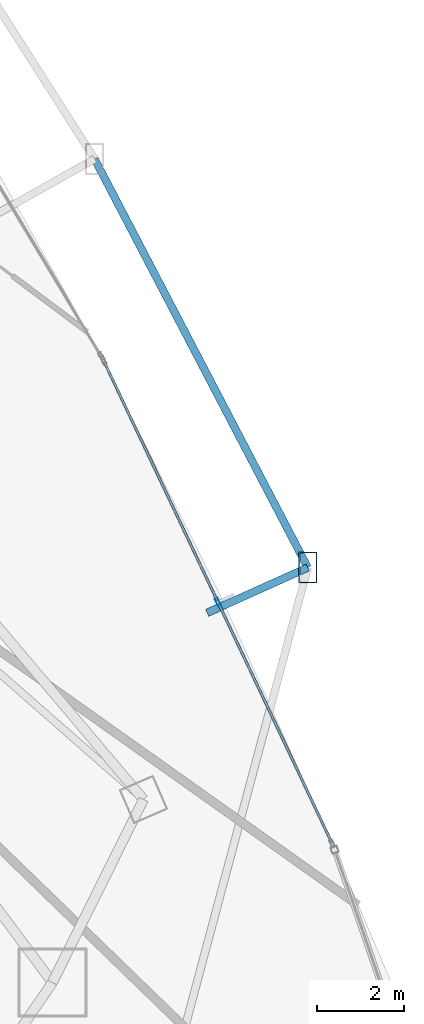
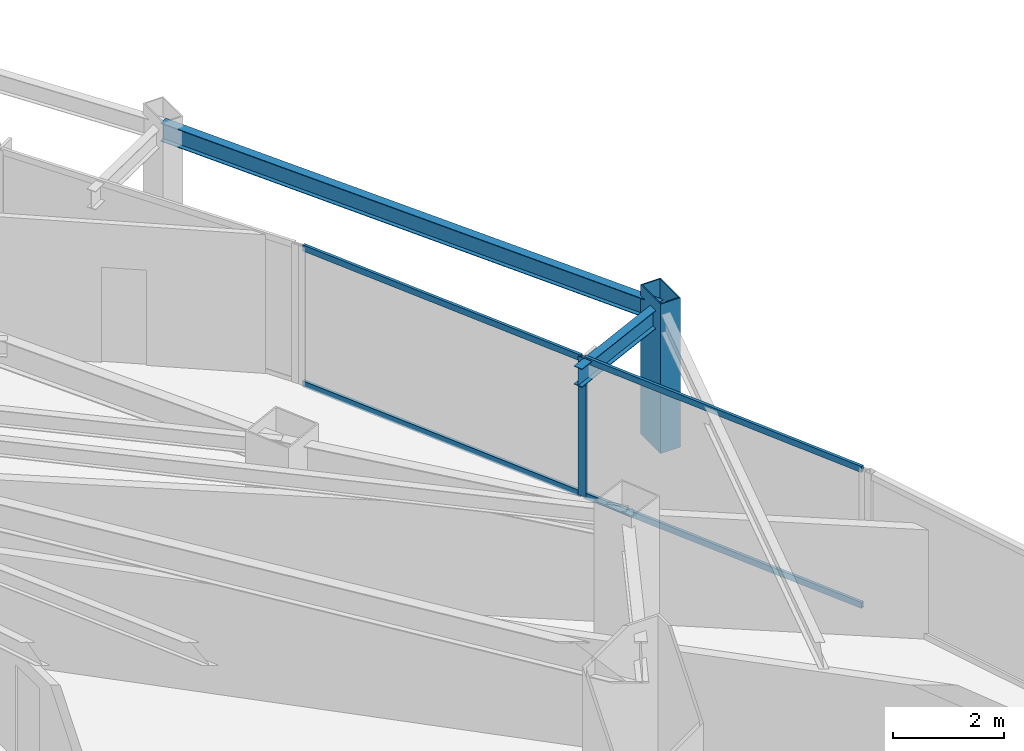
# One storey, part 19 of 34: 6 members, 2 beams, 1 element without a shape of its own.
"""IFC4 building model written with IfcOpenShell, lengths in metres."""

from ifc_helpers import new_model, si_unit, direction, frame, origin, origin_2d, place, context, subcontext, project, spatial, hollow_rectangle, i_section, extrude, material, layer, layer_set, material_profile, profile_set, type_object, element, aggregate, save


model = new_model("IFC4")

# Units and contexts
model_context = context("Model", 3, precision=1e-05, world=origin(), true_north=direction((0.0, 1.0)))
body_context = subcontext(model_context, "Body", "Model", "MODEL_VIEW")
ifc_project = project(units=[si_unit("LENGTHUNIT", "METRE"), si_unit("AREAUNIT", "SQUARE_METRE"), si_unit("VOLUMEUNIT", "CUBIC_METRE"), si_unit("PLANEANGLEUNIT", "RADIAN"), si_unit("MASSUNIT", "GRAM", prefix="KILO")], contexts=[model_context])

# Site, building, storey
site_placement = place(None, origin())
site = spatial("IfcSite", under=ifc_project, at=site_placement, CompositionType="ELEMENT")
building_placement = place(site_placement, origin())
building = spatial("IfcBuilding", under=site, at=building_placement, Name="Orvanel Arch Residences", CompositionType="ELEMENT")
storey_placement = place(building_placement, frame((0.0, 0.0, 64.25)))
storey = spatial("IfcBuildingStorey", under=building, at=storey_placement, Name="L17", CompositionType="ELEMENT", Elevation=64.25)

# Member
ifc_material_1 = material(Name="Structural steel AS/NZS 3678 Grade 350", Category="steel")
ifc_material_profile_1 = material_profile(ifc_material_1, hollow_rectangle(XDim=0.419921875, YDim=0.719970703125, WallThickness=0.02490234375, at=origin_2d()), Name="RHS720x420x25")
ifc_profile_set_1 = profile_set([ifc_material_profile_1], Name="Structural steel AS/NZS 3678 Grade 350")
member_type_1 = type_object("IfcMemberType", Name="CH-720RHS-EXT", PredefinedType="CHORD", material=ifc_profile_set_1)
member_1_placement = place(storey_placement, frame((57.702880859375, 19.93896484375, 0.0), z_axis=(0.0, 0.0, 1.0), x_axis=(1.0, 0.0, 0.0)))
element("IfcMember", 1, at=member_1_placement, inside=storey, type_object=member_type_1, Name="L17 Outer Perimeter Frame Post 09", PredefinedType="CHORD", context=body_context, shape_type="SweptSolid", body=[
    extrude(hollow_rectangle(XDim=0.419921875, YDim=0.719970703125, WallThickness=0.02490234375, at=origin_2d()), origin(), (0.0, 0.0, 1.0), 3.300048828125),
])

# Curtain wall, member
ifc_material_2 = material(Name="Bronze-anodised aluminium AA6063-T6", Category="aluminium")
ifc_layer = layer(ifc_material_2, 0.179931640625)
ifc_layer_set = layer_set([ifc_layer], Name="Bronze-anodised aluminium AA6063-T6")
curtain_wall_type = type_object("IfcCurtainWallType", Name="CW2-LOW-SYS", PredefinedType="NOTDEFINED", material=ifc_layer_set)
curtain_wall_placement = place(storey_placement, origin())
curtain_wall = element("IfcCurtainWall", 2, at=curtain_wall_placement, inside=storey, type_object=curtain_wall_type, Name="L17 CW2-LOW-SYS Unitised Curtain Wall", PredefinedType="NOTDEFINED")
ifc_material_profile_2 = material_profile(ifc_material_2, hollow_rectangle(XDim=0.070068359375, YDim=0.179931640625, WallThickness=0.00439453125, at=origin_2d()), Name="ALU180x70x4.5")
ifc_profile_set_2 = profile_set([ifc_material_profile_2], Name="Bronze-anodised aluminium AA6063-T6")
member_type_2 = type_object("IfcMemberType", Name="MUL-180x70", PredefinedType="MULLION", material=ifc_profile_set_2)
member_2_placement = place(storey_placement, frame((55.6259765625, 19.14306640625, 0.0), z_axis=(0.0, 0.0, 1.0), x_axis=(-0.903875434189, -0.427795745036, 0.0)))
member_2 = element("IfcMember", 3, at=member_2_placement, type_object=member_type_2, Name="CW-S2 mullion 2", PredefinedType="MULLION", context=body_context, shape_type="SweptSolid", body=[
    extrude(hollow_rectangle(XDim=0.070068359375, YDim=0.179931640625, WallThickness=0.00439453125, at=origin_2d()), origin(), (0.0, 0.0, 1.0), 3.06005859375),
])

# Beams
ifc_material_3 = material(Name="Structural steel AS/NZS 3679.1 Grade 300 (300 MPa)", Category="steel")
ifc_material_profile_3 = material_profile(ifc_material_3, i_section(OverallWidth=0.177978515625, OverallDepth=0.406005859375, WebThickness=0.0078125, FlangeThickness=0.0126953125, at=origin_2d()), Name="410UB59.7")
ifc_profile_set_3 = profile_set([ifc_material_profile_3], Name="Structural steel AS/NZS 3679.1 Grade 300 (300 MPa)")
beam_type = type_object("IfcBeamType", Name="OB-410UB-EXT", PredefinedType="SPANDREL", material=ifc_profile_set_3)
beam_1_placement = place(storey_placement, frame((55.3779296875, 18.89306640625, 2.85693359375), z_axis=(0.911969879065, 0.41025716286, 0.0), x_axis=(-0.41025716286, 0.911969879065, 0.0)))
element("IfcBeam", 4, at=beam_1_placement, inside=storey, type_object=beam_type, Name="L17 Outer Frame Radial Tie Beam 09", PredefinedType="SPANDREL", context=body_context, shape_type="SweptSolid", body=[
    extrude(i_section(OverallWidth=0.177978515625, OverallDepth=0.406005859375, WebThickness=0.0078125, FlangeThickness=0.0126953125, at=origin_2d()), origin(), (0.0, 0.0, 1.0), 2.54931640625),
])
beam_2_placement = place(storey_placement, frame((57.702880859375, 19.93896484375, 2.85693359375), z_axis=(-0.462502564623, 0.886617943489, 0.0), x_axis=(-0.886617943489, -0.462502564623, 0.0)))
element("IfcBeam", 5, at=beam_2_placement, inside=storey, type_object=beam_type, Name="L17 Outer Perimeter Floor Ring Beam 09", PredefinedType="SPANDREL", context=body_context, shape_type="SweptSolid", body=[
    extrude(i_section(OverallWidth=0.177978515625, OverallDepth=0.406005859375, WebThickness=0.0078125, FlangeThickness=0.0126953125, at=origin_2d()), origin(), (0.0, 0.0, 1.0), 10.65283203125),
])

# Member
ifc_material_profile_4 = material_profile(ifc_material_2, hollow_rectangle(XDim=0.06005859375, YDim=0.135009765625, WallThickness=0.00390625, at=origin_2d()), Name="ALU135x60x4")
ifc_profile_set_4 = profile_set([ifc_material_profile_4], Name="Bronze-anodised aluminium AA6063-T6")
member_type_3 = type_object("IfcMemberType", Name="TRN-135x60", PredefinedType="USERDEFINED", material=ifc_profile_set_4)
member_3_placement = place(storey_placement, frame((58.254150390625, 13.59033203125, 0.030029296875), z_axis=(-0.427828608407, 0.903859879533, 0.0), x_axis=(-0.903859879533, -0.427828608407, 0.0)))
member_3 = element("IfcMember", 6, at=member_3_placement, type_object=member_type_3, Name="CW-S2 transom 1.1", ObjectType="TRANSOM", PredefinedType="USERDEFINED", context=body_context, shape_type="SweptSolid", body=[
    extrude(hollow_rectangle(XDim=0.06005859375, YDim=0.135009765625, WallThickness=0.00390625, at=origin_2d()), origin(), (0.0, 0.0, 1.0), 6.108154296875),
])

member_4_placement = place(storey_placement, frame((58.254150390625, 13.59033203125, 3.030029296875), z_axis=(-0.427828608407, 0.903859879533, 0.0), x_axis=(-0.903859879533, -0.427828608407, 0.0)))
member_4 = element("IfcMember", 7, at=member_4_placement, type_object=member_type_3, Name="CW-S2 transom 1.2", ObjectType="TRANSOM", PredefinedType="USERDEFINED", context=body_context, shape_type="SweptSolid", body=[
    extrude(hollow_rectangle(XDim=0.06005859375, YDim=0.135009765625, WallThickness=0.00390625, at=origin_2d()), origin(), (0.0, 0.0, 1.0), 6.108154296875),
])

member_5_placement = place(storey_placement, frame((55.611083984375, 19.174560546875, 0.030029296875), z_axis=(-0.427780499589, 0.903882649557, 0.0), x_axis=(-0.903882649557, -0.427780499589, 0.0)))
member_5 = element("IfcMember", 8, at=member_5_placement, type_object=member_type_3, Name="CW-S2 transom 2.1", ObjectType="TRANSOM", PredefinedType="USERDEFINED", context=body_context, shape_type="SweptSolid", body=[
    extrude(hollow_rectangle(XDim=0.06005859375, YDim=0.135009765625, WallThickness=0.00390625, at=origin_2d()), origin(), (0.0, 0.0, 1.0), 6.1083984375),
])

member_6_placement = place(storey_placement, frame((55.611083984375, 19.174560546875, 3.030029296875), z_axis=(-0.427780499589, 0.903882649557, 0.0), x_axis=(-0.903882649557, -0.427780499589, 0.0)))
member_6 = element("IfcMember", 9, at=member_6_placement, type_object=member_type_3, Name="CW-S2 transom 2.2", ObjectType="TRANSOM", PredefinedType="USERDEFINED", context=body_context, shape_type="SweptSolid", body=[
    extrude(hollow_rectangle(XDim=0.06005859375, YDim=0.135009765625, WallThickness=0.00390625, at=origin_2d()), origin(), (0.0, 0.0, 1.0), 6.1083984375),
])

aggregate(curtain_wall, [member_2, member_3, member_4, member_5, member_6])

save(model, "model.ifc")
